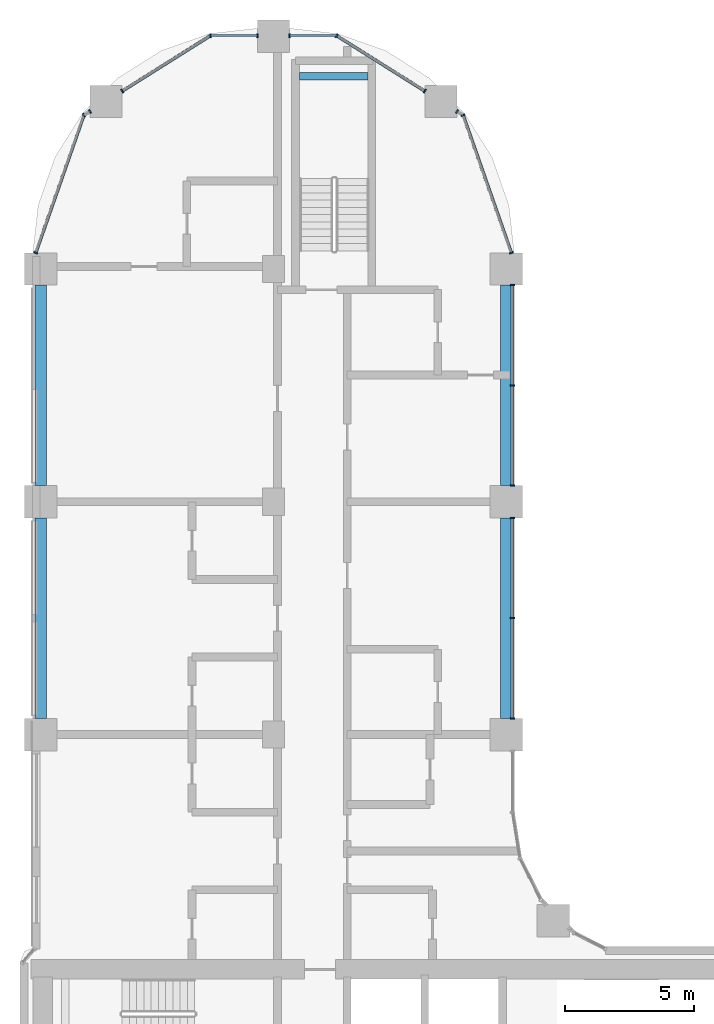
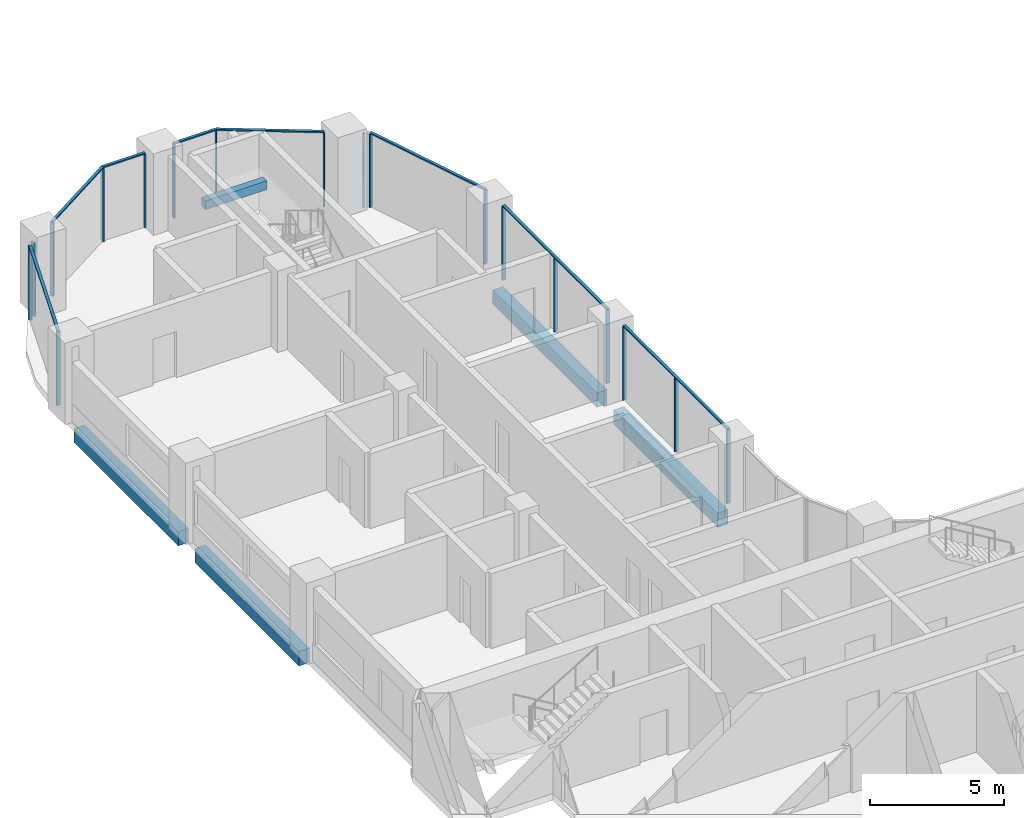
# One storey, part 6 of 33: 26 members, 5 beams, 6 elements without a shape of their own.
"""IFC4 building model written with IfcOpenShell, lengths in metres."""

from ifc_helpers import new_model, si_unit, direction, frame, origin, origin_2d, place, context, subcontext, project, spatial, rectangle, extrude, material, material_profile, profile_set, type_object, element, aggregate, save


model = new_model("IFC4")

# Units and contexts
model_context = context("Model", 3, precision=1e-05, world=origin(), true_north=direction((0.0, 1.0)))
body_context = subcontext(model_context, "Body", "Model", "MODEL_VIEW")
ifc_project = project(units=[si_unit("LENGTHUNIT", "METRE"), si_unit("AREAUNIT", "SQUARE_METRE"), si_unit("VOLUMEUNIT", "CUBIC_METRE"), si_unit("PLANEANGLEUNIT", "RADIAN"), si_unit("MASSUNIT", "GRAM", prefix="KILO")], contexts=[model_context])

# Site, building, storey
site_placement = place(None, origin())
site = spatial("IfcSite", under=ifc_project, at=site_placement, CompositionType="ELEMENT")
building_placement = place(site_placement, origin())
building = spatial("IfcBuilding", under=site, at=building_placement, Name="Ogive Portal Towers", CompositionType="ELEMENT")
storey_placement = place(building_placement, frame((0.0, 0.0, 101.89990234375)))
storey = spatial("IfcBuildingStorey", under=building, at=storey_placement, Name="L24", CompositionType="ELEMENT", Elevation=101.89990234375)

# Beam
ifc_material_1 = material(Name="Concrete C40/50", Category="concrete")
ifc_material_profile_1 = material_profile(ifc_material_1, rectangle(XDim=0.300048828125, YDim=0.39990234375, at=origin_2d()), Name="RC 300x400")
ifc_profile_set_1 = profile_set([ifc_material_profile_1], Name="Concrete C40/50")
beam_type_1 = type_object("IfcBeamType", Name="BEAM RC 300x400", PredefinedType="BEAM", material=ifc_profile_set_1)
beam_placement = place(storey_placement, frame((41.5, 73.949951171875, 1.4501953125), z_axis=(1.0, 0.0, 0.0), x_axis=(0.0, 1.0, 0.0)))
element("IfcBeam", 1, at=beam_placement, inside=storey, type_object=beam_type_1, Name="Landing beam L24", PredefinedType="BEAM", context=body_context, shape_type="SweptSolid", body=[
    extrude(rectangle(XDim=0.300048828125, YDim=0.39990234375, at=origin_2d()), origin(), (0.0, 0.0, 1.0), 2.64990234375),
])

# Curtain wall, members
ifc_material_2 = material(Name="Glass, clear low-iron insulated glazing", Category="glass")
curtain_wall_type = type_object("IfcCurtainWallType", Name="CW FRONT RIBBON 4500", PredefinedType="NOTDEFINED", material=ifc_material_2)
curtain_wall_1_placement = place(storey_placement, origin())
curtain_wall_1 = element("IfcCurtainWall", 2, at=curtain_wall_1_placement, inside=storey, type_object=curtain_wall_type, Name="A:L24:f06:cw0~1", PredefinedType="NOTDEFINED")
ifc_material_3 = material(Name="Aluminium 6063 anodised", Category="aluminium")
ifc_material_profile_2 = material_profile(ifc_material_3, rectangle(XDim=0.159912109375, YDim=0.06005859375, at=origin_2d()), Name="AL 60x160")
ifc_profile_set_2 = profile_set([ifc_material_profile_2], Name="Aluminium 6063 anodised")
member_type_1 = type_object("IfcMemberType", Name="CW MULLION 60x160", PredefinedType="MULLION", material=ifc_profile_set_2)
member_1_placement = place(storey_placement, frame((49.739990234375, 49.125, 0.0), z_axis=(0.0, 0.0, 1.0), x_axis=(-1.0, 0.0, 0.0)))
member_1 = element("IfcMember", 3, at=member_1_placement, type_object=member_type_1, Name="mullion", PredefinedType="MULLION", context=body_context, shape_type="SweptSolid", body=[
    extrude(rectangle(XDim=0.159912109375, YDim=0.06005859375, at=origin_2d()), origin(), (0.0, 0.0, 1.0), 3.340087890625),
])
member_2_placement = place(storey_placement, frame((49.739990234375, 53.0, 0.0), z_axis=(0.0, 0.0, 1.0), x_axis=(-1.0, 0.0, 0.0)))
member_2 = element("IfcMember", 4, at=member_2_placement, type_object=member_type_1, Name="mullion", PredefinedType="MULLION", context=body_context, shape_type="SweptSolid", body=[
    extrude(rectangle(XDim=0.159912109375, YDim=0.06005859375, at=origin_2d()), origin(), (0.0, 0.0, 1.0), 3.340087890625),
])
member_3_placement = place(storey_placement, frame((49.739990234375, 56.875, 0.0), z_axis=(0.0, 0.0, 1.0), x_axis=(-1.0, 0.0, 0.0)))
member_3 = element("IfcMember", 5, at=member_3_placement, type_object=member_type_1, Name="mullion", PredefinedType="MULLION", context=body_context, shape_type="SweptSolid", body=[
    extrude(rectangle(XDim=0.159912109375, YDim=0.06005859375, at=origin_2d()), origin(), (0.0, 0.0, 1.0), 3.340087890625),
])

curtain_wall_2_placement = place(storey_placement, origin())
curtain_wall_2 = element("IfcCurtainWall", 6, at=curtain_wall_2_placement, inside=storey, type_object=curtain_wall_type, Name="A:L24:f06:cw0~2", PredefinedType="NOTDEFINED")
member_4_placement = place(storey_placement, frame((49.739990234375, 58.125, 0.0), z_axis=(0.0, 0.0, 1.0), x_axis=(-1.0, 0.0, 0.0)))
member_4 = element("IfcMember", 7, at=member_4_placement, type_object=member_type_1, Name="mullion", PredefinedType="MULLION", context=body_context, shape_type="SweptSolid", body=[
    extrude(rectangle(XDim=0.159912109375, YDim=0.06005859375, at=origin_2d()), origin(), (0.0, 0.0, 1.0), 3.340087890625),
])
member_5_placement = place(storey_placement, frame((49.739990234375, 62.0, 0.0), z_axis=(0.0, 0.0, 1.0), x_axis=(-1.0, 0.0, 0.0)))
member_5 = element("IfcMember", 8, at=member_5_placement, type_object=member_type_1, Name="mullion", PredefinedType="MULLION", context=body_context, shape_type="SweptSolid", body=[
    extrude(rectangle(XDim=0.159912109375, YDim=0.06005859375, at=origin_2d()), origin(), (0.0, 0.0, 1.0), 3.340087890625),
])
member_6_placement = place(storey_placement, frame((49.739990234375, 65.875, 0.0), z_axis=(0.0, 0.0, 1.0), x_axis=(-1.0, 0.0, 0.0)))
member_6 = element("IfcMember", 9, at=member_6_placement, type_object=member_type_1, Name="mullion", PredefinedType="MULLION", context=body_context, shape_type="SweptSolid", body=[
    extrude(rectangle(XDim=0.159912109375, YDim=0.06005859375, at=origin_2d()), origin(), (0.0, 0.0, 1.0), 3.340087890625),
])

curtain_wall_3_placement = place(storey_placement, origin())
curtain_wall_3 = element("IfcCurtainWall", 10, at=curtain_wall_3_placement, inside=storey, type_object=curtain_wall_type, Name="A:L24:f07:cwa~0", PredefinedType="NOTDEFINED")
member_7_placement = place(storey_placement, frame((49.69140625, 67.125, 0.0), z_axis=(0.0, 0.0, 1.0), x_axis=(-0.943883330307, -0.33027906196, 0.0)))
member_7 = element("IfcMember", 11, at=member_7_placement, type_object=member_type_1, Name="mullion", PredefinedType="MULLION", context=body_context, shape_type="SweptSolid", body=[
    extrude(rectangle(XDim=0.159912109375, YDim=0.06005859375, at=origin_2d()), origin(), (0.0, 0.0, 1.0), 3.340087890625),
])
member_8_placement = place(storey_placement, frame((47.82958984375, 72.4462890625, 0.0), z_axis=(0.0, 0.0, 1.0), x_axis=(-0.943883330307, -0.33027906196, 0.0)))
member_8 = element("IfcMember", 12, at=member_8_placement, type_object=member_type_1, Name="mullion", PredefinedType="MULLION", context=body_context, shape_type="SweptSolid", body=[
    extrude(rectangle(XDim=0.159912109375, YDim=0.06005859375, at=origin_2d()), origin(), (0.0, 0.0, 1.0), 3.340087890625),
])
member_9_placement = place(storey_placement, frame((47.597900390625, 72.591796875, 0.0), z_axis=(0.0, 0.0, 1.0), x_axis=(-0.532032076517, -0.846724199227, 0.0)))
member_9 = element("IfcMember", 13, at=member_9_placement, type_object=member_type_1, Name="mullion", PredefinedType="MULLION", context=body_context, shape_type="SweptSolid", body=[
    extrude(rectangle(XDim=0.159912109375, YDim=0.06005859375, at=origin_2d()), origin(), (0.0, 0.0, 1.0), 3.340087890625),
])

curtain_wall_4_placement = place(storey_placement, origin())
curtain_wall_4 = element("IfcCurtainWall", 14, at=curtain_wall_4_placement, inside=storey, type_object=curtain_wall_type, Name="A:L24:f07:cwa~1", PredefinedType="NOTDEFINED")
member_10_placement = place(storey_placement, frame((46.347900390625, 73.377197265625, 0.0), z_axis=(0.0, 0.0, 1.0), x_axis=(-0.532032076517, -0.846724199227, 0.0)))
member_10 = element("IfcMember", 15, at=member_10_placement, type_object=member_type_1, Name="mullion", PredefinedType="MULLION", context=body_context, shape_type="SweptSolid", body=[
    extrude(rectangle(XDim=0.159912109375, YDim=0.06005859375, at=origin_2d()), origin(), (0.0, 0.0, 1.0), 3.340087890625),
])
member_11_placement = place(storey_placement, frame((42.939697265625, 75.518798828125, 0.0), z_axis=(0.0, 0.0, 1.0), x_axis=(-0.532032076517, -0.846724199227, 0.0)))
member_11 = element("IfcMember", 16, at=member_11_placement, type_object=member_type_1, Name="mullion", PredefinedType="MULLION", context=body_context, shape_type="SweptSolid", body=[
    extrude(rectangle(XDim=0.159912109375, YDim=0.06005859375, at=origin_2d()), origin(), (0.0, 0.0, 1.0), 3.340087890625),
])
member_12_placement = place(storey_placement, frame((41.125, 75.518798828125, 0.0), z_axis=(0.0, 0.0, 1.0), x_axis=(0.0, -1.0, 0.0)))
member_12 = element("IfcMember", 17, at=member_12_placement, type_object=member_type_1, Name="mullion", PredefinedType="MULLION", context=body_context, shape_type="SweptSolid", body=[
    extrude(rectangle(XDim=0.159912109375, YDim=0.06005859375, at=origin_2d()), origin(), (0.0, 0.0, 1.0), 3.340087890625),
])

curtain_wall_5_placement = place(storey_placement, origin())
curtain_wall_5 = element("IfcCurtainWall", 18, at=curtain_wall_5_placement, inside=storey, type_object=curtain_wall_type, Name="A:L24:f07:cwa~2", PredefinedType="NOTDEFINED")
member_13_placement = place(storey_placement, frame((39.875, 75.518798828125, 0.0), z_axis=(0.0, 0.0, 1.0), x_axis=(0.0, -1.0, 0.0)))
member_13 = element("IfcMember", 19, at=member_13_placement, type_object=member_type_1, Name="mullion", PredefinedType="MULLION", context=body_context, shape_type="SweptSolid", body=[
    extrude(rectangle(XDim=0.159912109375, YDim=0.06005859375, at=origin_2d()), origin(), (0.0, 0.0, 1.0), 3.340087890625),
])
member_14_placement = place(storey_placement, frame((38.060302734375, 75.518798828125, 0.0), z_axis=(0.0, 0.0, 1.0), x_axis=(0.0, -1.0, 0.0)))
member_14 = element("IfcMember", 20, at=member_14_placement, type_object=member_type_1, Name="mullion", PredefinedType="MULLION", context=body_context, shape_type="SweptSolid", body=[
    extrude(rectangle(XDim=0.159912109375, YDim=0.06005859375, at=origin_2d()), origin(), (0.0, 0.0, 1.0), 3.340087890625),
])
member_15_placement = place(storey_placement, frame((34.652099609375, 73.377197265625, 0.0), z_axis=(0.0, 0.0, 1.0), x_axis=(0.532032076517, -0.846724199227, 0.0)))
member_15 = element("IfcMember", 21, at=member_15_placement, type_object=member_type_1, Name="mullion", PredefinedType="MULLION", context=body_context, shape_type="SweptSolid", body=[
    extrude(rectangle(XDim=0.159912109375, YDim=0.06005859375, at=origin_2d()), origin(), (0.0, 0.0, 1.0), 3.340087890625),
])

curtain_wall_6_placement = place(storey_placement, origin())
curtain_wall_6 = element("IfcCurtainWall", 22, at=curtain_wall_6_placement, inside=storey, type_object=curtain_wall_type, Name="A:L24:f07:cwa~3", PredefinedType="NOTDEFINED")
member_16_placement = place(storey_placement, frame((33.402099609375, 72.591796875, 0.0), z_axis=(0.0, 0.0, 1.0), x_axis=(0.532032076517, -0.846724199227, 0.0)))
member_16 = element("IfcMember", 23, at=member_16_placement, type_object=member_type_1, Name="mullion", PredefinedType="MULLION", context=body_context, shape_type="SweptSolid", body=[
    extrude(rectangle(XDim=0.159912109375, YDim=0.06005859375, at=origin_2d()), origin(), (0.0, 0.0, 1.0), 3.340087890625),
])
member_17_placement = place(storey_placement, frame((33.17041015625, 72.4462890625, 0.0), z_axis=(0.0, 0.0, 1.0), x_axis=(0.532032076517, -0.846724199227, 0.0)))
member_17 = element("IfcMember", 24, at=member_17_placement, type_object=member_type_1, Name="mullion", PredefinedType="MULLION", context=body_context, shape_type="SweptSolid", body=[
    extrude(rectangle(XDim=0.159912109375, YDim=0.06005859375, at=origin_2d()), origin(), (0.0, 0.0, 1.0), 3.340087890625),
])
member_18_placement = place(storey_placement, frame((31.30859375, 67.125, 0.0), z_axis=(0.0, 0.0, 1.0), x_axis=(0.943883330307, -0.33027906196, 0.0)))
member_18 = element("IfcMember", 25, at=member_18_placement, type_object=member_type_1, Name="mullion", PredefinedType="MULLION", context=body_context, shape_type="SweptSolid", body=[
    extrude(rectangle(XDim=0.159912109375, YDim=0.06005859375, at=origin_2d()), origin(), (0.0, 0.0, 1.0), 3.340087890625),
])

# Member
ifc_material_profile_3 = material_profile(ifc_material_3, rectangle(XDim=0.1201171875, YDim=0.06005859375, at=origin_2d()), Name="AL 120x60")
ifc_profile_set_3 = profile_set([ifc_material_profile_3], Name="Aluminium 6063 anodised")
member_type_2 = type_object("IfcMemberType", Name="CW TRANSOM 60x120", PredefinedType="USERDEFINED", material=ifc_profile_set_3)
member_19_placement = place(storey_placement, frame((49.739990234375, 49.125, 3.3701171875), z_axis=(0.0, 1.0, 0.0), x_axis=(-1.0, 0.0, 0.0)))
member_19 = element("IfcMember", 26, at=member_19_placement, type_object=member_type_2, Name="transom", ObjectType="TRANSOM", PredefinedType="USERDEFINED", context=body_context, shape_type="SweptSolid", body=[
    extrude(rectangle(XDim=0.1201171875, YDim=0.06005859375, at=origin_2d()), origin(), (0.0, 0.0, 1.0), 7.75),
])

aggregate(curtain_wall_1, [member_19, member_1, member_2, member_3])

member_20_placement = place(storey_placement, frame((49.739990234375, 58.125, 3.3701171875), z_axis=(0.0, 1.0, 0.0), x_axis=(-1.0, 0.0, 0.0)))
member_20 = element("IfcMember", 27, at=member_20_placement, type_object=member_type_2, Name="transom", ObjectType="TRANSOM", PredefinedType="USERDEFINED", context=body_context, shape_type="SweptSolid", body=[
    extrude(rectangle(XDim=0.1201171875, YDim=0.06005859375, at=origin_2d()), origin(), (0.0, 0.0, 1.0), 7.75),
])

aggregate(curtain_wall_2, [member_20, member_4, member_5, member_6])

member_21_placement = place(storey_placement, frame((49.69140625, 67.125, 3.3701171875), z_axis=(-0.330250115416, 0.943893458642, 0.0), x_axis=(-0.943893458642, -0.330250115416, 0.0)))
member_21 = element("IfcMember", 28, at=member_21_placement, type_object=member_type_2, Name="transom", ObjectType="TRANSOM", PredefinedType="USERDEFINED", context=body_context, shape_type="SweptSolid", body=[
    extrude(rectangle(XDim=0.1201171875, YDim=0.06005859375, at=origin_2d()), origin(), (0.0, 0.0, 1.0), 5.6376953125),
])

aggregate(curtain_wall_3, [member_21, member_7, member_8, member_9])

member_22_placement = place(storey_placement, frame((46.347900390625, 73.377197265625, 3.3701171875), z_axis=(-0.846714618742, 0.532047323467, 0.0), x_axis=(-0.532047323467, -0.846714618742, 0.0)))
member_22 = element("IfcMember", 29, at=member_22_placement, type_object=member_type_2, Name="transom", ObjectType="TRANSOM", PredefinedType="USERDEFINED", context=body_context, shape_type="SweptSolid", body=[
    extrude(rectangle(XDim=0.1201171875, YDim=0.06005859375, at=origin_2d()), origin(), (0.0, 0.0, 1.0), 4.025146484375),
])

member_23_placement = place(storey_placement, frame((42.939697265625, 75.518798828125, 3.3701171875), z_axis=(-1.0, 0.0, 0.0), x_axis=(0.0, -1.0, 0.0)))
member_23 = element("IfcMember", 30, at=member_23_placement, type_object=member_type_2, Name="transom", ObjectType="TRANSOM", PredefinedType="USERDEFINED", context=body_context, shape_type="SweptSolid", body=[
    extrude(rectangle(XDim=0.1201171875, YDim=0.06005859375, at=origin_2d()), origin(), (0.0, 0.0, 1.0), 1.814697265625),
])

aggregate(curtain_wall_4, [member_22, member_23, member_10, member_11, member_12])

member_24_placement = place(storey_placement, frame((39.875, 75.518798828125, 3.3701171875), z_axis=(-1.0, 0.0, 0.0), x_axis=(0.0, -1.0, 0.0)))
member_24 = element("IfcMember", 31, at=member_24_placement, type_object=member_type_2, Name="transom", ObjectType="TRANSOM", PredefinedType="USERDEFINED", context=body_context, shape_type="SweptSolid", body=[
    extrude(rectangle(XDim=0.1201171875, YDim=0.06005859375, at=origin_2d()), origin(), (0.0, 0.0, 1.0), 1.814697265625),
])

member_25_placement = place(storey_placement, frame((38.060302734375, 75.518798828125, 3.3701171875), z_axis=(-0.846714618742, -0.532047323467, 0.0), x_axis=(0.532047323467, -0.846714618742, 0.0)))
member_25 = element("IfcMember", 32, at=member_25_placement, type_object=member_type_2, Name="transom", ObjectType="TRANSOM", PredefinedType="USERDEFINED", context=body_context, shape_type="SweptSolid", body=[
    extrude(rectangle(XDim=0.1201171875, YDim=0.06005859375, at=origin_2d()), origin(), (0.0, 0.0, 1.0), 4.025146484375),
])

aggregate(curtain_wall_5, [member_24, member_25, member_13, member_14, member_15])

member_26_placement = place(storey_placement, frame((33.17041015625, 72.4462890625, 3.3701171875), z_axis=(-0.330250115416, -0.943893458642, 0.0), x_axis=(0.943893458642, -0.330250115416, 0.0)))
member_26 = element("IfcMember", 33, at=member_26_placement, type_object=member_type_2, Name="transom", ObjectType="TRANSOM", PredefinedType="USERDEFINED", context=body_context, shape_type="SweptSolid", body=[
    extrude(rectangle(XDim=0.1201171875, YDim=0.06005859375, at=origin_2d()), origin(), (0.0, 0.0, 1.0), 5.6376953125),
])

aggregate(curtain_wall_6, [member_26, member_16, member_17, member_18])

# Beams
ifc_material_4 = material(Name="Concrete C50/60", Category="concrete")
ifc_material_profile_4 = material_profile(ifc_material_4, rectangle(XDim=0.449951171875, YDim=0.64990234375, at=origin_2d()), Name="RC 450x650")
ifc_profile_set_4 = profile_set([ifc_material_profile_4], Name="Concrete C50/60")
beam_type_2 = type_object("IfcBeamType", Name="SPANDREL BEAM RC 450x650", PredefinedType="BEAM", material=ifc_profile_set_4)
for number, where, z_axis, x_axis, name in (
    (34, (31.5, 49.125, -0.625), (0.0, 1.0, 0.0), (-1.0, 0.0, 0.0), "Spandrel beam L24"),
    (35, (31.5, 58.125, -0.625), (0.0, 1.0, 0.0), (-1.0, 0.0, 0.0), "Spandrel beam L24"),
    (36, (49.5, 65.875, -0.625), (0.0, -1.0, 0.0), (1.0, 0.0, 0.0), "Spandrel beam L24"),
    (37, (49.5, 56.875, -0.625), (0.0, -1.0, 0.0), (1.0, 0.0, 0.0), "Spandrel beam L24"),
):
    element("IfcBeam", number, at=place(storey_placement, frame(where, z_axis=z_axis, x_axis=x_axis)), inside=storey, type_object=beam_type_2, Name=name, PredefinedType="BEAM", context=body_context, shape_type="SweptSolid", body=[
        extrude(rectangle(XDim=0.449951171875, YDim=0.64990234375, at=origin_2d()), origin(), (0.0, 0.0, 1.0), 7.75),
    ])

save(model, "model.ifc")
